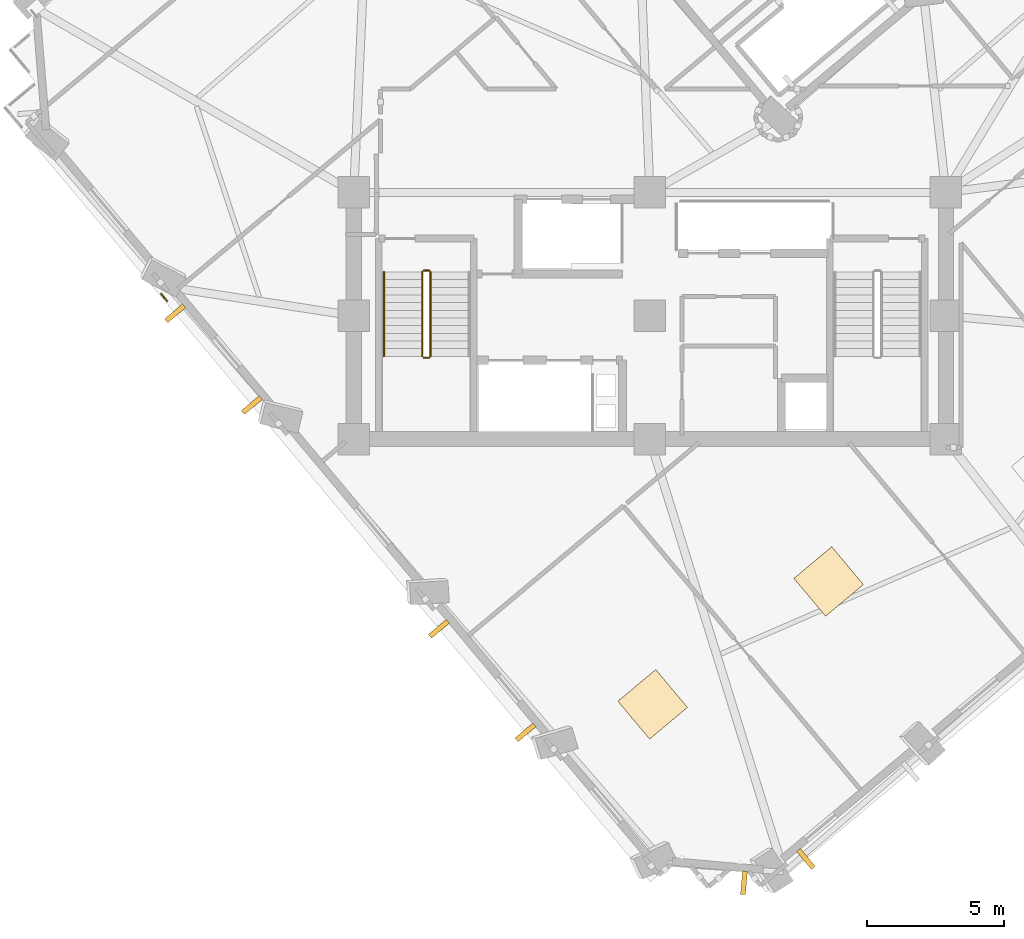
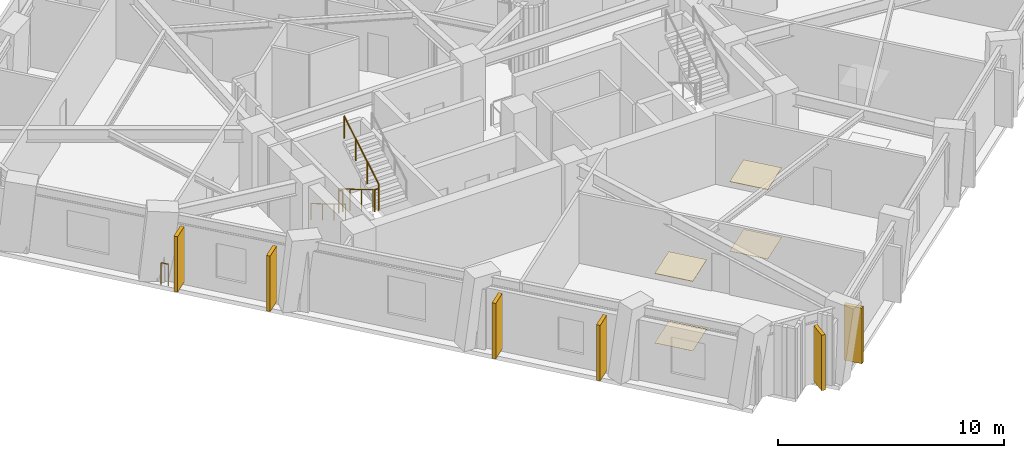
# One storey, part 10 of 14: 6 railings, 6 shading devices, 4 coverings.
"""IFC4 building model written with IfcOpenShell, lengths in metres."""

from ifc_helpers import new_model, si_unit, direction, frame, origin, origin_2d, place, context, subcontext, project, spatial, rectangle, circle, extrude, material, layer, layer_set, type_object, element, save


model = new_model("IFC4")

# Units and contexts
model_context = context("Model", 3, precision=1e-05, world=origin(), true_north=direction((0.0, 1.0)))
body_context = subcontext(model_context, "Body", "Model", "MODEL_VIEW")
ifc_project = project(units=[si_unit("LENGTHUNIT", "METRE"), si_unit("AREAUNIT", "SQUARE_METRE"), si_unit("VOLUMEUNIT", "CUBIC_METRE"), si_unit("PLANEANGLEUNIT", "RADIAN"), si_unit("MASSUNIT", "GRAM", prefix="KILO")], contexts=[model_context])

# Site, building, storey
site_placement = place(None, origin())
site = spatial("IfcSite", under=ifc_project, at=site_placement, CompositionType="ELEMENT")
building_placement = place(site_placement, origin())
building = spatial("IfcBuilding", under=site, at=building_placement, Name="Gaonmaruhae Medical Tower", CompositionType="ELEMENT")
storey_placement = place(building_placement, frame((0.0, 0.0, 193.800048828125)))
storey = spatial("IfcBuildingStorey", under=building, at=storey_placement, Name="L46", CompositionType="ELEMENT", Elevation=193.800048828125)

# Coverings
ifc_material_1 = material(Name="Acoustic mineral ceiling tile", Category="finish")
ifc_layer_1 = layer(ifc_material_1, 0.02490234375)
ifc_layer_set_1 = layer_set([ifc_layer_1], Name="Acoustic mineral ceiling tile")
covering_type_1 = type_object("IfcCoveringType", Name="CLG-01 Antimicrobial Acoustic Mineral Ceiling", PredefinedType="CEILING", material=ifc_layer_set_1)
for number, where, z_axis, x_axis, name in (
    (1, (24.90478515625, -1.872802734375, 3.7548828125), (0.0, 0.0, 1.0), (0.767165151815, 0.641449631569, 0.0), "L46 Clinical Room Acoustic Ceiling 2"),
    (2, (31.324951171875, 2.608642578125, 3.7548828125), (0.0, 0.0, 1.0), (0.767165151815, 0.641449631569, 0.0), "L46 Clinical Room Acoustic Ceiling 3"),
):
    element("IfcCovering", number, at=place(storey_placement, frame(where, z_axis=z_axis, x_axis=x_axis)), inside=storey, type_object=covering_type_1, Name=name, PredefinedType="CEILING", context=body_context, shape_type="SweptSolid", body=[
        extrude(rectangle(XDim=1.800048828125, YDim=1.800048828125, at=origin_2d()), origin(), (0.0, 0.0, 1.0), 0.02490234375),
    ])
ifc_material_2 = material(Name="Seamless clinical vinyl flooring", Category="finish")
ifc_layer_2 = layer(ifc_material_2, 0.014892578125)
ifc_layer_set_2 = layer_set([ifc_layer_2], Name="Seamless clinical vinyl flooring")
covering_type_2 = type_object("IfcCoveringType", Name="FLR-01 Seamless Clinical Antistatic Vinyl Flooring", PredefinedType="FLOORING", material=ifc_layer_set_2)
for number, where, z_axis, x_axis, name in (
    (3, (24.90478515625, -1.872802734375, 0.0), (0.0, 0.0, 1.0), (0.767165151815, 0.641449631569, 0.0), "L46 Clinical Room Vinyl Flooring 2"),
    (4, (31.324951171875, 2.608642578125, 0.0), (0.0, 0.0, 1.0), (0.767165151815, 0.641449631569, 0.0), "L46 Clinical Room Vinyl Flooring 3"),
):
    element("IfcCovering", number, at=place(storey_placement, frame(where, z_axis=z_axis, x_axis=x_axis)), inside=storey, type_object=covering_type_2, Name=name, PredefinedType="FLOORING", context=body_context, shape_type="SweptSolid", body=[
        extrude(rectangle(XDim=1.800048828125, YDim=1.800048828125, at=origin_2d()), origin(), (0.0, 0.0, 1.0), 0.014892578125),
    ])

# Railings
ifc_material_3 = material(Name="Stainless steel 316L and laminated safety glass", Category="steel")
ifc_layer_3 = layer(ifc_material_3, 0.080078125)
ifc_layer_set_3 = layer_set([ifc_layer_3], Name="Stainless steel 316L and laminated safety glass")
railing_type_1 = type_object("IfcRailingType", Name="GD-120 Outdoor Terrace Safety Glass & Steel Balustrade", PredefinedType="BALUSTRADE", material=ifc_layer_set_3)
railing_1_placement = place(storey_placement, frame((7.1923828125, 12.84130859375, 0.0)))
element("IfcRailing", 5, at=railing_1_placement, inside=storey, type_object=railing_type_1, Name="L46 Perimeter Slab Edge Safety Balustrade 03", PredefinedType="BALUSTRADE", context=body_context, shape_type="SweptSolid", body=[
    extrude(circle(Radius=0.02392578125, at=origin_2d()), frame((0.0, 0.0, 1.17578125), z_axis=(-0.641385949032, 0.76721839419, 0.0), x_axis=(-0.76721839419, -0.641385949032, 0.0)), (0.0, 0.0, 1.0), 0.339599609375),
    extrude(circle(Radius=0.02099609375, at=origin_2d()), origin(), (0.0, 0.0, 1.0), 1.15185546875),
    extrude(circle(Radius=0.02099609375, at=origin_2d()), frame((-0.2177734375, 0.260498046875, 0.0)), (0.0, 0.0, 1.0), 1.15185546875),
])
ifc_material_4 = material(Name="Stainless steel 304 handrail", Category="steel")
railing_type_2 = type_object("IfcRailingType", Name="HR-092 Continuous Stainless Steel Stair Handrail", PredefinedType="HANDRAIL", material=ifc_material_4)
railing_2_placement = place(storey_placement, frame((15.10009765625, 13.89990234375, 0.16650390625)))
element("IfcRailing", 6, at=railing_2_placement, inside=storey, type_object=railing_type_2, Name="L46 ST-01 stair handrail 1", PredefinedType="HANDRAIL", context=body_context, shape_type="SweptSolid", body=[
    extrude(circle(Radius=0.02392578125, at=origin_2d()), frame((0.0, 0.0, 0.8759765625), z_axis=(0.0, -0.859260807169, 0.511537745687), x_axis=(1.0, 0.0, 0.0)), (0.0, 0.0, 1.0), 3.584228515625),
    extrude(circle(Radius=0.02099609375, at=origin_2d()), origin(), (0.0, 0.0, 1.0), 0.851806640625),
    extrude(circle(Radius=0.02099609375, at=origin_2d()), frame((0.0, -1.026611328125, 0.611083984375)), (0.0, 0.0, 1.0), 0.851806640625),
    extrude(circle(Radius=0.02099609375, at=origin_2d()), frame((0.0, -2.05322265625, 1.222412109375)), (0.0, 0.0, 1.0), 0.851806640625),
    extrude(circle(Radius=0.02099609375, at=origin_2d()), frame((0.0, -3.079833984375, 1.83349609375)), (0.0, 0.0, 1.0), 0.851806640625),
])

# Shading devices
ifc_material_5 = material(Name="Pigmented coral precast concrete C45/55", Category="concrete")
shading_device_type = type_object("IfcShadingDeviceType", Name="SD-FIN1 Tower Vertical Coral Precast Shading Fin", PredefinedType="USERDEFINED", material=ifc_material_5)
for number, where, z_axis, x_axis, name in (
    (7, (30.49267578125, -7.511474609375, 0.132568359375), (0.0, 0.0, 1.0), (-0.767165151815, -0.641449631569, 0.0), "L46 Vertical Coral Precast Shading Fin S01B"),
    (8, (10.283447265625, 9.043212890625, 0.132568359375), (0.0, 0.0, 1.0), (-0.641449631569, 0.767165151815, 0.0), "L46 Vertical Coral Precast Shading Fin W02"),
    (9, (7.485107421875, 12.3896484375, 0.132568359375), (0.0, 0.0, 1.0), (-0.641449631569, 0.767165151815, 0.0), "L46 Vertical Coral Precast Shading Fin W02B"),
    (10, (20.265625, -2.8955078125, 0.132568359375), (0.0, 0.0, 1.0), (-0.641449631569, 0.767165151815, 0.0), "L46 Vertical Coral Precast Shading Fin W04"),
    (11, (17.107421875, 0.881591796875, 0.132568359375), (0.0, 0.0, 1.0), (-0.641449631569, 0.767165151815, 0.0), "L46 Vertical Coral Precast Shading Fin W04B"),
    (12, (28.23583984375, -8.385986328125, 0.132568359375), (0.0, 0.0, 1.0), (-0.996041065411, 0.088894296866, 0.0), "L46 Vertical Coral Precast Shading Fin W06"),
):
    element("IfcShadingDevice", number, at=place(storey_placement, frame(where, z_axis=z_axis, x_axis=x_axis)), inside=storey, type_object=shading_device_type, Name=name, ObjectType="FIN", PredefinedType="USERDEFINED", context=body_context, shape_type="SweptSolid", body=[
        extrude(rectangle(XDim=0.179931640625, YDim=0.85009765625, at=origin_2d()), origin(), (0.0, 0.0, 1.0), 3.0),
    ])

# Railings
ifc_material_6 = material(Name="Stainless steel 304 balustrade", Category="steel")
railing_type_3 = type_object("IfcRailingType", Name="SG-112 Stair Well & Ramp Void Safety Balustrade", PredefinedType="BALUSTRADE", material=ifc_material_6)
railing_3_placement = place(storey_placement, frame((16.5, 13.89990234375, 0.16650390625)))
element("IfcRailing", 13, at=railing_3_placement, inside=storey, type_object=railing_type_3, Name="L46 ST-01 stair guard 1", PredefinedType="BALUSTRADE", context=body_context, shape_type="SweptSolid", body=[
    extrude(circle(Radius=0.02392578125, at=origin_2d()), frame((0.0, 0.0, 1.17578125), z_axis=(0.0, -0.859260807169, 0.511537745687), x_axis=(1.0, 0.0, 0.0)), (0.0, 0.0, 1.0), 3.584228515625),
    extrude(circle(Radius=0.02099609375, at=origin_2d()), origin(), (0.0, 0.0, 1.0), 1.15185546875),
    extrude(circle(Radius=0.02099609375, at=origin_2d()), frame((0.0, -1.026611328125, 0.611083984375)), (0.0, 0.0, 1.0), 1.15185546875),
    extrude(circle(Radius=0.02099609375, at=origin_2d()), frame((0.0, -2.05322265625, 1.222412109375)), (0.0, 0.0, 1.0), 1.15185546875),
    extrude(circle(Radius=0.02099609375, at=origin_2d()), frame((0.0, -3.079833984375, 1.83349609375)), (0.0, 0.0, 1.0), 1.15185546875),
])
railing_4_placement = place(storey_placement, frame((16.550048828125, 10.77001953125, 2.0)))
element("IfcRailing", 14, at=railing_4_placement, inside=storey, type_object=railing_type_3, Name="L46 ST-01 stair guard 2", PredefinedType="BALUSTRADE", context=body_context, shape_type="SweptSolid", body=[
    extrude(circle(Radius=0.02392578125, at=origin_2d()), frame((0.0, 0.0, 1.17578125), z_axis=(1.0, 0.0, 0.0), x_axis=(0.0, 1.0, 0.0)), (0.0, 0.0, 1.0), 0.199951171875),
    extrude(circle(Radius=0.02099609375, at=origin_2d()), origin(), (0.0, 0.0, 1.0), 1.15185546875),
    extrude(circle(Radius=0.02099609375, at=origin_2d()), frame((0.199951171875, 0.0, 0.0)), (0.0, 0.0, 1.0), 1.15185546875),
])
railing_5_placement = place(storey_placement, frame((16.800048828125, 10.820068359375, 2.16650390625)))
element("IfcRailing", 15, at=railing_5_placement, inside=storey, type_object=railing_type_3, Name="L46 ST-01 stair guard 3", PredefinedType="BALUSTRADE", context=body_context, shape_type="SweptSolid", body=[
    extrude(circle(Radius=0.02392578125, at=origin_2d()), frame((0.0, 0.0, 1.17578125), z_axis=(0.0, 0.859260807169, 0.511537745687), x_axis=(-1.0, 0.0, 0.0)), (0.0, 0.0, 1.0), 3.584228515625),
    extrude(circle(Radius=0.02099609375, at=origin_2d()), origin(), (0.0, 0.0, 1.0), 1.15185546875),
    extrude(circle(Radius=0.02099609375, at=origin_2d()), frame((0.0, 1.026611328125, 0.611083984375)), (0.0, 0.0, 1.0), 1.15185546875),
    extrude(circle(Radius=0.02099609375, at=origin_2d()), frame((0.0, 2.05322265625, 1.222412109375)), (0.0, 0.0, 1.0), 1.15185546875),
    extrude(circle(Radius=0.02099609375, at=origin_2d()), frame((0.0, 3.079833984375, 1.83349609375)), (0.0, 0.0, 1.0), 1.15185546875),
])
railing_6_placement = place(storey_placement, frame((16.550048828125, 13.949951171875, 0.0)))
element("IfcRailing", 16, at=railing_6_placement, inside=storey, type_object=railing_type_3, Name="L46 ST-01 stair guard 4", PredefinedType="BALUSTRADE", context=body_context, shape_type="SweptSolid", body=[
    extrude(circle(Radius=0.02392578125, at=origin_2d()), frame((0.0, 0.0, 1.17578125), z_axis=(1.0, 0.0, 0.0), x_axis=(0.0, 1.0, 0.0)), (0.0, 0.0, 1.0), 0.199951171875),
    extrude(circle(Radius=0.02099609375, at=origin_2d()), origin(), (0.0, 0.0, 1.0), 1.15185546875),
    extrude(circle(Radius=0.02099609375, at=origin_2d()), frame((0.199951171875, 0.0, 0.0)), (0.0, 0.0, 1.0), 1.15185546875),
])

save(model, "model.ifc")
